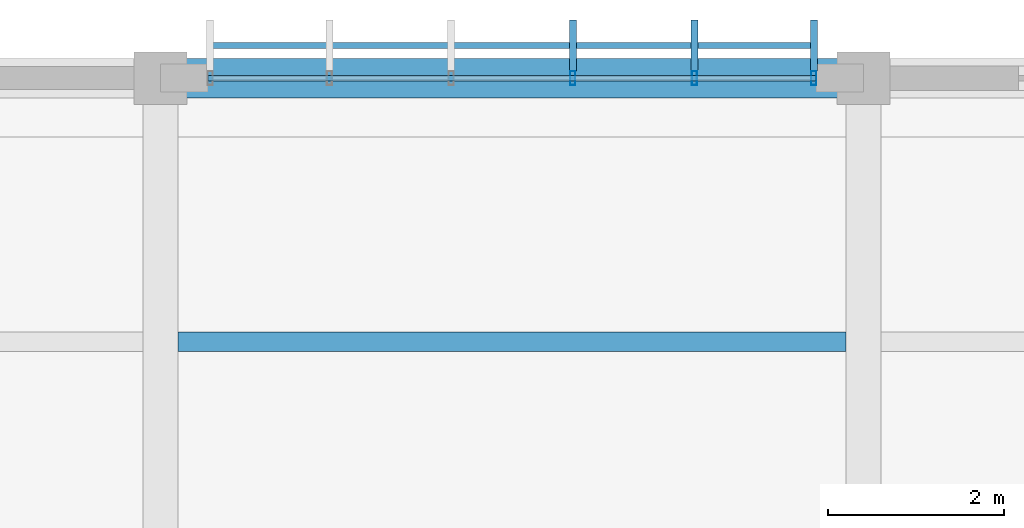
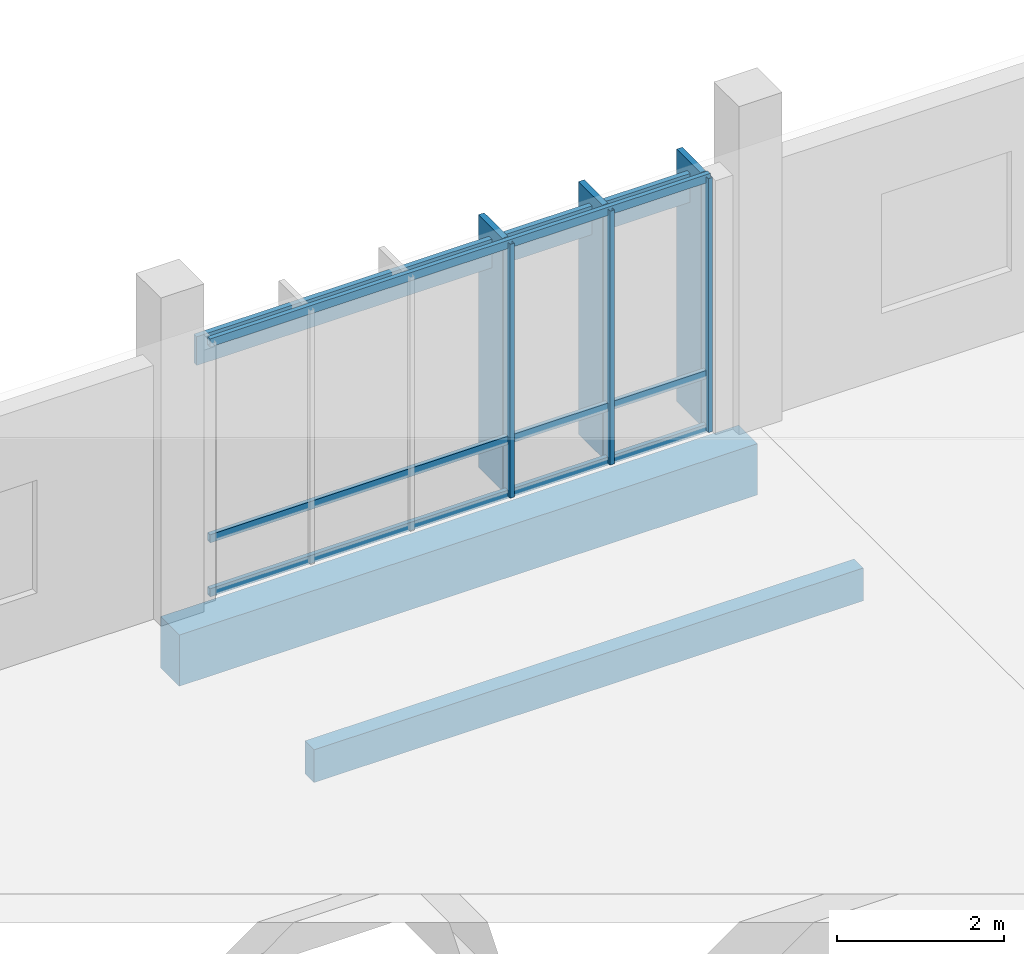
# One storey, part 119 of 177: 10 members, 2 beams, 1 element without a shape of its own.
"""IFC4 building model written with IfcOpenShell, lengths in metres."""

from ifc_helpers import new_model, si_unit, direction, frame, origin, origin_2d, place, context, subcontext, project, spatial, rectangle, hollow_rectangle, extrude, material, material_profile, profile_set, type_object, element, aggregate, save


model = new_model("IFC4")

# Units and contexts
model_context = context("Model", 3, precision=1e-05, world=origin(), true_north=direction((0.0, 1.0)))
body_context = subcontext(model_context, "Body", "Model", "MODEL_VIEW")
ifc_project = project(units=[si_unit("LENGTHUNIT", "METRE"), si_unit("AREAUNIT", "SQUARE_METRE"), si_unit("VOLUMEUNIT", "CUBIC_METRE"), si_unit("PLANEANGLEUNIT", "RADIAN"), si_unit("MASSUNIT", "GRAM", prefix="KILO")], contexts=[model_context])

# Site, building, storey
site_placement = place(None, origin())
site = spatial("IfcSite", under=ifc_project, at=site_placement, CompositionType="ELEMENT")
building_placement = place(site_placement, origin())
building = spatial("IfcBuilding", under=site, at=building_placement, Name="Chiffa Square Polytechnic", CompositionType="ELEMENT")
storey_placement = place(building_placement, frame((0.0, 0.0, 4.800048828125)))
storey = spatial("IfcBuildingStorey", under=building, at=storey_placement, Name="L01", CompositionType="ELEMENT", Elevation=4.800048828125)

# Beam
ifc_material_1 = material(Name="Concrete C35/45", Category="concrete")
ifc_material_profile_1 = material_profile(ifc_material_1, rectangle(XDim=0.449951171875, YDim=0.75, at=origin_2d()), Name="RC 450x750")
ifc_profile_set_1 = profile_set([ifc_material_profile_1], Name="Concrete C35/45")
beam_type_1 = type_object("IfcBeamType", Name="BM-RC-450X750", PredefinedType="BEAM", material=ifc_profile_set_1)
beam_1_placement = place(storey_placement, frame((16.0, 130.800048828125, -0.655029296875), z_axis=(1.0, 0.0, 0.0), x_axis=(0.0, 1.0, 0.0)))
element("IfcBeam", 1, at=beam_1_placement, inside=storey, type_object=beam_type_1, Name="Primary floor girder BM-V5-L01-X-0160-1308", PredefinedType="BEAM", context=body_context, shape_type="SweptSolid", body=[
    extrude(rectangle(XDim=0.449951171875, YDim=0.75, at=origin_2d()), origin(), (0.0, 0.0, 1.0), 8.0),
])

# Curtain wall, members
ifc_material_2 = material(Name="Aluminium EN AW-6060 T66 and glulam shading", Category="wood")
curtain_wall_type = type_object("IfcCurtainWallType", Name="CW-VERT-600X440", PredefinedType="USERDEFINED", material=ifc_material_2)
curtain_wall_placement = place(storey_placement, origin())
curtain_wall = element("IfcCurtainWall", 2, at=curtain_wall_placement, inside=storey, type_object=curtain_wall_type, Name="Curtain wall CW-V5-L01-209", ObjectType="CURTAIN WALL", PredefinedType="USERDEFINED")
ifc_material_3 = material(Name="Aluminium EN AW-6060 T66", Category="aluminium")
ifc_material_profile_2 = material_profile(ifc_material_3, hollow_rectangle(XDim=0.06005859375, YDim=0.159912109375, WallThickness=0.00390625, at=origin_2d()), Name="ALU 60x160x4")
ifc_profile_set_2 = profile_set([ifc_material_profile_2], Name="Aluminium EN AW-6060 T66")
member_type_1 = type_object("IfcMemberType", Name="CWM-ALU-65X150", PredefinedType="MULLION", material=ifc_profile_set_2)
member_1_placement = place(storey_placement, frame((23.43505859375, 130.800048828125, 0.0), z_axis=(0.0, 0.0, 1.0), x_axis=(1.0, 0.0, 0.0)))
member_1 = element("IfcMember", 3, at=member_1_placement, type_object=member_type_1, Name="Curtain wall mullion CW-V5-L01-209-M00", PredefinedType="MULLION", context=body_context, shape_type="SweptSolid", body=[
    extrude(hollow_rectangle(XDim=0.06005859375, YDim=0.159912109375, WallThickness=0.00390625, at=origin_2d()), origin(), (0.0, 0.0, 1.0), 3.71484375),
])
member_2_placement = place(storey_placement, frame((22.075927734375, 130.800048828125, 0.0), z_axis=(0.0, 0.0, 1.0), x_axis=(1.0, 0.0, 0.0)))
member_2 = element("IfcMember", 4, at=member_2_placement, type_object=member_type_1, Name="Curtain wall mullion CW-V5-L01-209-M01", PredefinedType="MULLION", context=body_context, shape_type="SweptSolid", body=[
    extrude(hollow_rectangle(XDim=0.06005859375, YDim=0.159912109375, WallThickness=0.00390625, at=origin_2d()), origin(), (0.0, 0.0, 1.0), 3.71484375),
])
member_3_placement = place(storey_placement, frame((20.69189453125, 130.800048828125, 0.0), z_axis=(0.0, 0.0, 1.0), x_axis=(1.0, 0.0, 0.0)))
member_3 = element("IfcMember", 5, at=member_3_placement, type_object=member_type_1, Name="Curtain wall mullion CW-V5-L01-209-M02", PredefinedType="MULLION", context=body_context, shape_type="SweptSolid", body=[
    extrude(hollow_rectangle(XDim=0.06005859375, YDim=0.159912109375, WallThickness=0.00390625, at=origin_2d()), origin(), (0.0, 0.0, 1.0), 3.71484375),
])
ifc_material_4 = material(Name="Glulam GL28h", Category="wood")
ifc_material_profile_3 = material_profile(ifc_material_4, rectangle(XDim=0.080078125, YDim=0.580078125, at=origin_2d()), Name="GL28h 80x580")
ifc_profile_set_3 = profile_set([ifc_material_profile_3], Name="Glulam GL28h")
member_type_2 = type_object("IfcMemberType", Name="CWM-GL-80X580", PredefinedType="MULLION", material=ifc_profile_set_3)
member_4_placement = place(storey_placement, frame((23.43505859375, 131.172119140625, 0.010009765625), z_axis=(0.0, 0.0, 1.0), x_axis=(-1.0, 0.0, 0.0)))
member_4 = element("IfcMember", 6, at=member_4_placement, type_object=member_type_2, Name="Exterior glulam solar fin CW-V5-L01-209-FN00", PredefinedType="MULLION", context=body_context, shape_type="SweptSolid", body=[
    extrude(rectangle(XDim=0.080078125, YDim=0.580078125, at=origin_2d()), origin(), (0.0, 0.0, 1.0), 3.69482421875),
])
member_5_placement = place(storey_placement, frame((22.075927734375, 131.172119140625, 0.010009765625), z_axis=(0.0, 0.0, 1.0), x_axis=(-1.0, 0.0, 0.0)))
member_5 = element("IfcMember", 7, at=member_5_placement, type_object=member_type_2, Name="Exterior glulam solar fin CW-V5-L01-209-FN01", PredefinedType="MULLION", context=body_context, shape_type="SweptSolid", body=[
    extrude(rectangle(XDim=0.080078125, YDim=0.580078125, at=origin_2d()), origin(), (0.0, 0.0, 1.0), 3.69482421875),
])
member_6_placement = place(storey_placement, frame((20.69189453125, 131.172119140625, 0.010009765625), z_axis=(0.0, 0.0, 1.0), x_axis=(-1.0, 0.0, 0.0)))
member_6 = element("IfcMember", 8, at=member_6_placement, type_object=member_type_2, Name="Exterior glulam solar fin CW-V5-L01-209-FN02", PredefinedType="MULLION", context=body_context, shape_type="SweptSolid", body=[
    extrude(rectangle(XDim=0.080078125, YDim=0.580078125, at=origin_2d()), origin(), (0.0, 0.0, 1.0), 3.69482421875),
])
ifc_material_profile_4 = material_profile(ifc_material_3, hollow_rectangle(XDim=0.06005859375, YDim=0.1201171875, WallThickness=0.00390625, at=origin_2d()), Name="ALU 60x120x4")
ifc_profile_set_4 = profile_set([ifc_material_profile_4], Name="Aluminium EN AW-6060 T66")
member_type_3 = type_object("IfcMemberType", Name="CWT-ALU-65X120", PredefinedType="USERDEFINED", material=ifc_profile_set_4)
member_7_placement = place(storey_placement, frame((23.4619140625, 130.800048828125, 0.030029296875), z_axis=(-1.0, 0.0, 0.0), x_axis=(0.0, -1.0, 0.0)))
member_7 = element("IfcMember", 9, at=member_7_placement, type_object=member_type_3, Name="Curtain wall transom CW-V5-L01-209-T01", ObjectType="TRANSOM", PredefinedType="USERDEFINED", context=body_context, shape_type="SweptSolid", body=[
    extrude(hollow_rectangle(XDim=0.06005859375, YDim=0.1201171875, WallThickness=0.00390625, at=origin_2d()), origin(), (0.0, 0.0, 1.0), 6.923828125),
])
member_8_placement = place(storey_placement, frame((23.4619140625, 130.800048828125, 0.820068359375), z_axis=(-1.0, 0.0, 0.0), x_axis=(0.0, -1.0, 0.0)))
member_8 = element("IfcMember", 10, at=member_8_placement, type_object=member_type_3, Name="Curtain wall transom CW-V5-L01-209-T02", ObjectType="TRANSOM", PredefinedType="USERDEFINED", context=body_context, shape_type="SweptSolid", body=[
    extrude(hollow_rectangle(XDim=0.06005859375, YDim=0.1201171875, WallThickness=0.00390625, at=origin_2d()), origin(), (0.0, 0.0, 1.0), 6.923828125),
])
member_9_placement = place(storey_placement, frame((23.4619140625, 130.800048828125, 3.68505859375), z_axis=(-1.0, 0.0, 0.0), x_axis=(0.0, -1.0, 0.0)))
member_9 = element("IfcMember", 11, at=member_9_placement, type_object=member_type_3, Name="Curtain wall transom CW-V5-L01-209-T03", ObjectType="TRANSOM", PredefinedType="USERDEFINED", context=body_context, shape_type="SweptSolid", body=[
    extrude(hollow_rectangle(XDim=0.06005859375, YDim=0.1201171875, WallThickness=0.00390625, at=origin_2d()), origin(), (0.0, 0.0, 1.0), 6.923828125),
])
ifc_material_profile_5 = material_profile(ifc_material_4, rectangle(XDim=0.070068359375, YDim=0.419921875, at=origin_2d()), Name="GL28h 70x420")
ifc_profile_set_5 = profile_set([ifc_material_profile_5], Name="Glulam GL28h")
member_type_4 = type_object("IfcMemberType", Name="CWT-GL-70X420", PredefinedType="USERDEFINED", material=ifc_profile_set_5)
member_10_placement = place(storey_placement, frame((23.43505859375, 131.172119140625, 3.3349609375), z_axis=(-1.0, 0.0, 0.0), x_axis=(0.0, -1.0, 0.0)))
member_10 = element("IfcMember", 12, at=member_10_placement, type_object=member_type_4, Name="Exterior glulam brise-soleil CW-V5-L01-209-BS01", ObjectType="TRANSOM", PredefinedType="USERDEFINED", context=body_context, shape_type="SweptSolid", body=[
    extrude(rectangle(XDim=0.070068359375, YDim=0.419921875, at=origin_2d()), origin(), (0.0, 0.0, 1.0), 6.8701171875),
])
aggregate(curtain_wall, [member_1, member_4, member_2, member_5, member_3, member_6, member_7, member_8, member_9, member_10])

# Beam
ifc_material_profile_6 = material_profile(ifc_material_4, rectangle(XDim=0.219970703125, YDim=0.47998046875, at=origin_2d()), Name="GL28h 220x480")
ifc_profile_set_6 = profile_set([ifc_material_profile_6], Name="Glulam GL28h")
beam_type_2 = type_object("IfcBeamType", Name="JST-GL-220X480", PredefinedType="JOIST", material=ifc_profile_set_6)
beam_2_placement = place(storey_placement, frame((16.197998046875, 127.800048828125, -0.52001953125), z_axis=(1.0, 0.0, 0.0), x_axis=(0.0, 1.0, 0.0)))
element("IfcBeam", 13, at=beam_2_placement, inside=storey, type_object=beam_type_2, Name="Secondary floor joist JST-V5-L01-0160-1278", PredefinedType="JOIST", context=body_context, shape_type="SweptSolid", body=[
    extrude(rectangle(XDim=0.219970703125, YDim=0.47998046875, at=origin_2d()), origin(), (0.0, 0.0, 1.0), 7.60400390625),
])

save(model, "model.ifc")
